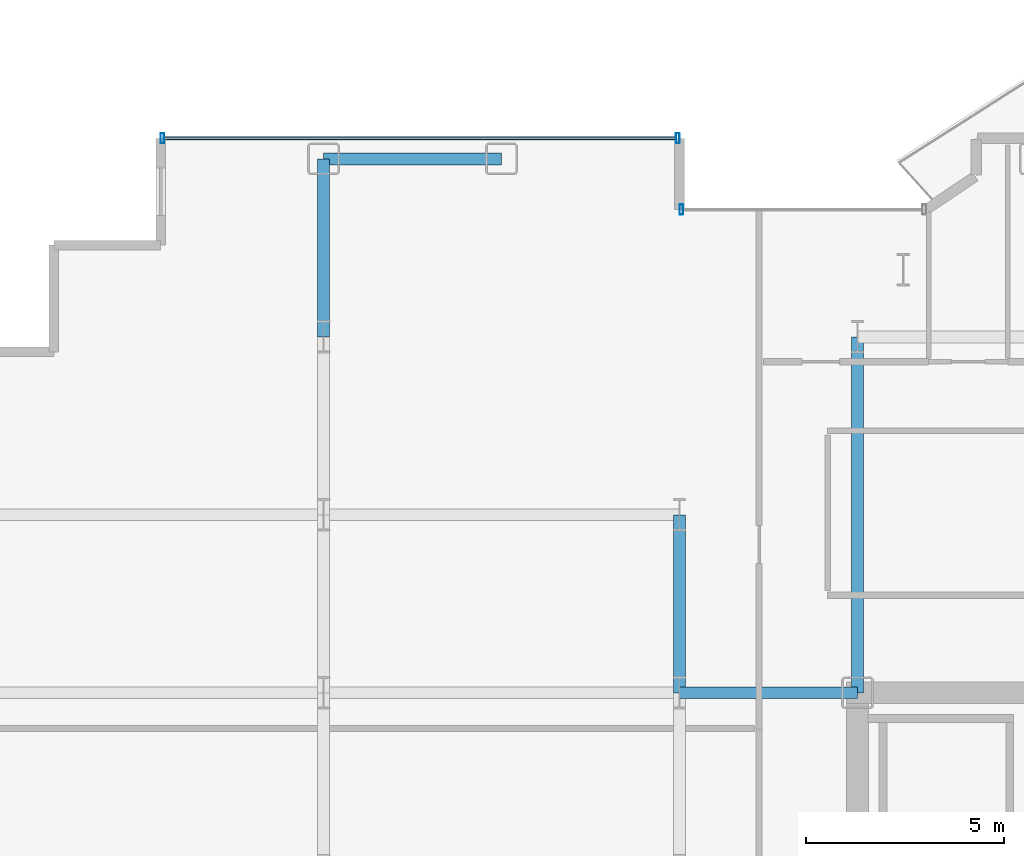
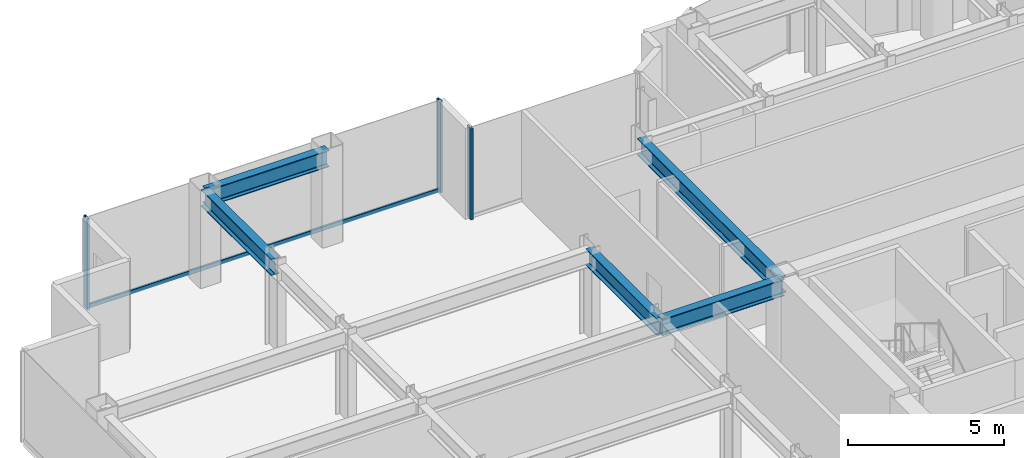
# One storey, part 13 of 25: 5 beams, 4 members, 2 elements without a shape of their own.
"""IFC4 building model written with IfcOpenShell, lengths in metres."""

from ifc_helpers import new_model, si_unit, direction, frame, origin, origin_2d, place, context, subcontext, project, spatial, hollow_rectangle, i_section, extrude, source, transform, mapped, material, layer, layer_set, material_profile, profile_set, type_object, element, aggregate, save


model = new_model("IFC4")

# Units and contexts
model_context = context("Model", 3, precision=1e-05, world=origin(), true_north=direction((0.0, 1.0)))
body_context = subcontext(model_context, "Body", "Model", "MODEL_VIEW")
ifc_project = project(units=[si_unit("LENGTHUNIT", "METRE"), si_unit("AREAUNIT", "SQUARE_METRE"), si_unit("VOLUMEUNIT", "CUBIC_METRE"), si_unit("PLANEANGLEUNIT", "RADIAN"), si_unit("MASSUNIT", "GRAM", prefix="KILO")], contexts=[model_context])

# Site, building, storey
site_placement = place(None, origin())
site = spatial("IfcSite", under=ifc_project, at=site_placement, CompositionType="ELEMENT")
building_placement = place(site_placement, origin())
building = spatial("IfcBuilding", under=site, at=building_placement, Name="Nefas-Gora Pilgrimage Tower", CompositionType="ELEMENT")
storey_placement = place(building_placement, frame((0.0, 0.0, 194.39990234375)))
storey = spatial("IfcBuildingStorey", under=building, at=storey_placement, Name="L48", CompositionType="ELEMENT", Elevation=194.39990234375)

# Beams
ifc_material_1 = material(Name="Steel S355", Category="steel")
ifc_material_profile_1 = material_profile(ifc_material_1, i_section(OverallWidth=0.300048828125, OverallDepth=0.64990234375, WebThickness=0.01611328125, FlangeThickness=0.031005859375, FilletRadius=0.027099609375, at=origin_2d()), Name="HEB 650")
ifc_profile_set_1 = profile_set([ifc_material_profile_1], Name="Steel S355")
beam_type_1 = type_object("IfcBeamType", Name="BM-SPN-HEB500", PredefinedType="SPANDREL", material=ifc_profile_set_1)
shared_shape_1 = source(origin(), body_context, "Body", "SweptSolid", [
    extrude(i_section(OverallWidth=0.300048828125, OverallDepth=0.64990234375, WebThickness=0.01611328125, FlangeThickness=0.031005859375, FilletRadius=0.027099609375, at=origin_2d()), origin(), (0.0, 0.0, 1.0), 4.5),
])
beam_1_placement = place(storey_placement, frame((-24.75, 22.5, 3.22509765625), z_axis=(1.0, 0.0, 0.0), x_axis=(0.0, 1.0, 0.0)))
element("IfcBeam", 1, at=beam_1_placement, inside=storey, type_object=beam_type_1, Name="L48 SP-02 beam", PredefinedType="SPANDREL", context=body_context, shape_type="MappedRepresentation", body=[
    mapped(shared_shape_1, transform((0.0, 0.0, 0.0), x_axis=(1.0, 0.0, 0.0), y_axis=(0.0, 1.0, 0.0), z_axis=(0.0, 0.0, 1.0), scale=1.0)),
])
ifc_material_profile_2 = material_profile(ifc_material_1, i_section(OverallWidth=0.300048828125, OverallDepth=0.64990234375, WebThickness=0.01611328125, FlangeThickness=0.031005859375, FilletRadius=0.027099609375, at=origin_2d()), Name="HEB 650")
ifc_profile_set_2 = profile_set([ifc_material_profile_2], Name="Steel S355")
beam_type_2 = type_object("IfcBeamType", Name="BM-GIR-HEB650", PredefinedType="BEAM", material=ifc_profile_set_2)
shared_shape_2 = source(origin(), body_context, "Body", "SweptSolid", [
    extrude(i_section(OverallWidth=0.300048828125, OverallDepth=0.64990234375, WebThickness=0.01611328125, FlangeThickness=0.031005859375, FilletRadius=0.027099609375, at=origin_2d()), origin(), (0.0, 0.0, 1.0), 9.0),
])
beam_2_placement = place(storey_placement, frame((-11.25, 9.0, 3.22509765625), z_axis=(0.0, 1.0, 0.0), x_axis=(-1.0, 0.0, 0.0)))
element("IfcBeam", 2, at=beam_2_placement, inside=storey, type_object=beam_type_2, Name="L48 G-03 beam", PredefinedType="BEAM", context=body_context, shape_type="MappedRepresentation", body=[
    mapped(shared_shape_2, transform((0.0, 0.0, 0.0), x_axis=(1.0, 0.0, 0.0), y_axis=(0.0, 1.0, 0.0), z_axis=(0.0, 0.0, 1.0), scale=1.0)),
])
shared_shape_3 = source(origin(), body_context, "Body", "SweptSolid", [
    extrude(i_section(OverallWidth=0.300048828125, OverallDepth=0.64990234375, WebThickness=0.01611328125, FlangeThickness=0.031005859375, FilletRadius=0.027099609375, at=origin_2d()), origin(), (0.0, 0.0, 1.0), 4.5),
])
for number, where, z_axis, x_axis, name in (
    (3, (-24.75, 18.0, 3.22509765625), (0.0, 1.0, 0.0), (-1.0, 0.0, 0.0), "L48 G-03 beam"),
    (4, (-15.75, 9.0, 3.22509765625), (0.0, 1.0, 0.0), (-1.0, 0.0, 0.0), "L48 G-03 beam"),
    (5, (-15.75, 9.0, 3.22509765625), (1.0, 0.0, 0.0), (0.0, 1.0, 0.0), "L48 G-03 beam"),
):
    element("IfcBeam", number, at=place(storey_placement, frame(where, z_axis=z_axis, x_axis=x_axis)), inside=storey, type_object=beam_type_2, Name=name, PredefinedType="BEAM", context=body_context, shape_type="MappedRepresentation", body=[
        mapped(shared_shape_3, transform((0.0, 0.0, 0.0), x_axis=(1.0, 0.0, 0.0), y_axis=(0.0, 1.0, 0.0), z_axis=(0.0, 0.0, 1.0), scale=1.0)),
    ])

# Curtain wall, member
ifc_material_2 = material(Name="Dark ceramic-fritted solar-control aluminium-glass curtain wall", Category="aluminium")
ifc_layer_1 = layer(ifc_material_2, 0.219970703125)
ifc_layer_set_1 = layer_set([ifc_layer_1], Name="Dark ceramic-fritted solar-control aluminium-glass curtain wall")
curtain_wall_type_1 = type_object("IfcCurtainWallType", Name="CW-SYS-5", PredefinedType="NOTDEFINED", material=ifc_layer_set_1)
curtain_wall_1_placement = place(storey_placement, origin())
curtain_wall_1 = element("IfcCurtainWall", 6, at=curtain_wall_1_placement, inside=storey, type_object=curtain_wall_type_1, Name="L48 Unitised Curtain Wall CW5", PredefinedType="NOTDEFINED")
ifc_material_3 = material(Name="Anodised architectural aluminium", Category="aluminium")
ifc_material_profile_3 = material_profile(ifc_material_3, hollow_rectangle(XDim=0.090087890625, YDim=0.260009765625, WallThickness=0.006103515625, InnerFilletRadius=0.006103515625, OuterFilletRadius=0.011962890625, at=origin_2d()), Name="ALU MULLION 90x260")
ifc_profile_set_3 = profile_set([ifc_material_profile_3], Name="Anodised architectural aluminium")
member_type_1 = type_object("IfcMemberType", Name="CWM-MUL-5", PredefinedType="MULLION", material=ifc_profile_set_3)
shared_shape_4 = source(origin(), body_context, "Body", "SweptSolid", [
    extrude(hollow_rectangle(XDim=0.090087890625, YDim=0.260009765625, WallThickness=0.006103515625, InnerFilletRadius=0.006103515625, OuterFilletRadius=0.011962890625, at=origin_2d()), origin(), (0.0, 0.0, 1.0), 3.550048828125),
])
member_1_placement = place(storey_placement, frame((-15.705078125, 21.219970703125, 0.0), z_axis=(0.0, 0.0, 1.0), x_axis=(-1.0, 0.0, 0.0)))
member_1 = element("IfcMember", 7, at=member_1_placement, type_object=member_type_1, Name="CW5 Mullion 2", PredefinedType="MULLION", context=body_context, shape_type="MappedRepresentation", body=[
    mapped(shared_shape_4, transform((0.0, 0.0, 0.0), x_axis=(1.0, 0.0, 0.0), y_axis=(0.0, 1.0, 0.0), z_axis=(0.0, 0.0, 1.0), scale=1.0)),
])
aggregate(curtain_wall_1, [member_1])

# Curtain wall, members
ifc_layer_2 = layer(ifc_material_2, 0.219970703125)
ifc_layer_set_2 = layer_set([ifc_layer_2], Name="Dark ceramic-fritted solar-control aluminium-glass curtain wall")
curtain_wall_type_2 = type_object("IfcCurtainWallType", Name="CW-SYS-3", PredefinedType="NOTDEFINED", material=ifc_layer_set_2)
curtain_wall_2_placement = place(storey_placement, origin())
curtain_wall_2 = element("IfcCurtainWall", 8, at=curtain_wall_2_placement, inside=storey, type_object=curtain_wall_type_2, Name="L48 Unitised Curtain Wall CW3", PredefinedType="NOTDEFINED")
ifc_material_profile_4 = material_profile(ifc_material_3, hollow_rectangle(XDim=0.090087890625, YDim=0.260009765625, WallThickness=0.006103515625, InnerFilletRadius=0.006103515625, OuterFilletRadius=0.011962890625, at=origin_2d()), Name="ALU MULLION 90x260")
ifc_profile_set_4 = profile_set([ifc_material_profile_4], Name="Anodised architectural aluminium")
member_type_2 = type_object("IfcMemberType", Name="CWM-MUL-3", PredefinedType="MULLION", material=ifc_profile_set_4)
shared_shape_5 = source(origin(), body_context, "Body", "SweptSolid", [
    extrude(hollow_rectangle(XDim=0.090087890625, YDim=0.260009765625, WallThickness=0.006103515625, InnerFilletRadius=0.006103515625, OuterFilletRadius=0.011962890625, at=origin_2d()), origin(), (0.0, 0.0, 1.0), 3.550048828125),
])
member_2_placement = place(storey_placement, frame((-15.794921875, 23.02001953125, 0.0), z_axis=(0.0, 0.0, 1.0), x_axis=(-1.0, 0.0, 0.0)))
member_2 = element("IfcMember", 9, at=member_2_placement, type_object=member_type_2, Name="CW3 Mullion 1", PredefinedType="MULLION", context=body_context, shape_type="MappedRepresentation", body=[
    mapped(shared_shape_5, transform((0.0, 0.0, 0.0), x_axis=(1.0, 0.0, 0.0), y_axis=(0.0, 1.0, 0.0), z_axis=(0.0, 0.0, 1.0), scale=1.0)),
])
member_3_placement = place(storey_placement, frame((-28.824951171875, 23.02001953125, 0.0), z_axis=(0.0, 0.0, 1.0), x_axis=(-1.0, 0.0, 0.0)))
member_3 = element("IfcMember", 10, at=member_3_placement, type_object=member_type_2, Name="CW3 Mullion 2", PredefinedType="MULLION", context=body_context, shape_type="MappedRepresentation", body=[
    mapped(shared_shape_5, transform((0.0, 0.0, 0.0), x_axis=(1.0, 0.0, 0.0), y_axis=(0.0, 1.0, 0.0), z_axis=(0.0, 0.0, 1.0), scale=1.0)),
])
ifc_material_profile_5 = material_profile(ifc_material_3, hollow_rectangle(XDim=0.080078125, YDim=0.159912109375, WallThickness=0.00439453125, InnerFilletRadius=0.00439453125, OuterFilletRadius=0.009033203125, at=origin_2d()), Name="ALU TRANSOM 80x160")
ifc_profile_set_5 = profile_set([ifc_material_profile_5], Name="Anodised architectural aluminium")
member_type_3 = type_object("IfcMemberType", Name="CWM-TRN-3", PredefinedType="USERDEFINED", material=ifc_profile_set_5)
shared_shape_6 = source(origin(), body_context, "Body", "SweptSolid", [
    extrude(hollow_rectangle(XDim=0.080078125, YDim=0.159912109375, WallThickness=0.00439453125, InnerFilletRadius=0.00439453125, OuterFilletRadius=0.009033203125, at=origin_2d()), origin(), (0.0, 0.0, 1.0), 12.93994140625),
])
member_4_placement = place(storey_placement, frame((-15.840087890625, 23.02001953125, 0.050048828125), z_axis=(-1.0, 0.0, 0.0), x_axis=(0.0, -1.0, 0.0)))
member_4 = element("IfcMember", 11, at=member_4_placement, type_object=member_type_3, Name="CW3 Spandrel Transom", ObjectType="TRANSOM", PredefinedType="USERDEFINED", context=body_context, shape_type="MappedRepresentation", body=[
    mapped(shared_shape_6, transform((0.0, 0.0, 0.0), x_axis=(1.0, 0.0, 0.0), y_axis=(0.0, 1.0, 0.0), z_axis=(0.0, 0.0, 1.0), scale=1.0)),
])
aggregate(curtain_wall_2, [member_2, member_3, member_4])

save(model, "model.ifc")
